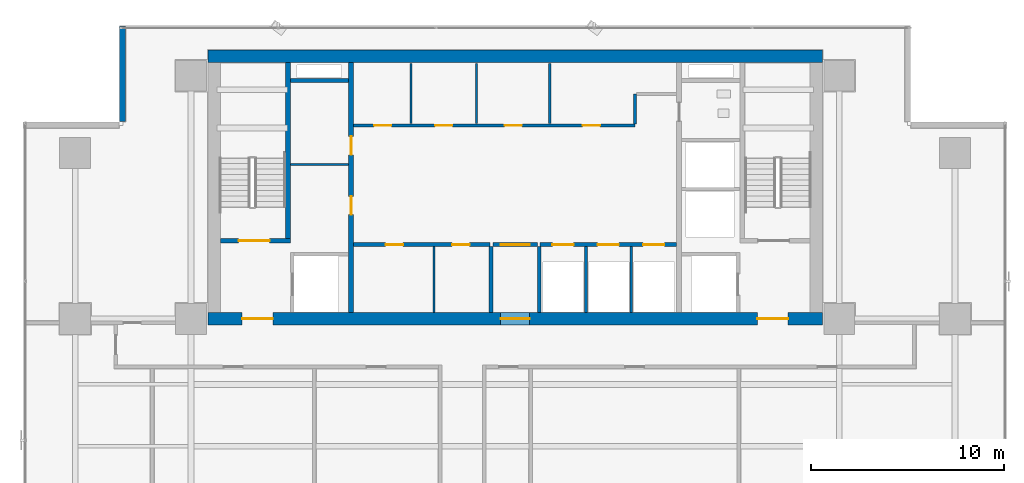
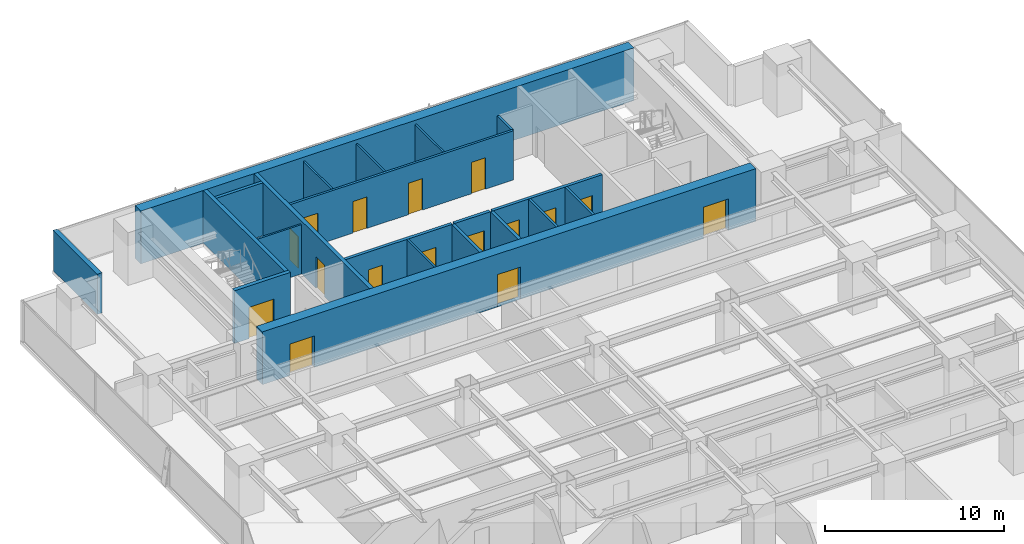
# One storey, part 29 of 37: 21 walls, 16 doors, 16 openings.
"""IFC4 building model written with IfcOpenShell, lengths in metres."""

import ifcopenshell
import ifcopenshell.guid

model = None  # the IFC model being written
_history = None  # IfcOwnerHistory: only IFC2X3 demands one
_inside = {}  # id of a spatial element -> (the spatial element, [elements in it])
_under = {}  # id of a project, library or spatial element -> (it, [spatial elements below it])
_declared = {}  # id of a project -> (the project, [libraries it declares])
_typed = {}  # id of a type object -> (the type object, [elements of that type])
_made_of = {}  # id of a material, layer set ... -> (it, [elements and type objects made of it])


def new_model(schema):
    """Start an empty IFC model of exactly this schema.

    Asked for "IFC4X3", IfcOpenShell would pick the latest addendum, in which some entities
    have other attributes; the version numbers below select the first issue.
    IFC2X3 requires an IfcOwnerHistory on every rooted entity: one is made here for all.
    """
    global model, _history
    if schema == "IFC4X3":
        model = ifcopenshell.file(schema_version=(4, 3, 0, 0))
    else:
        model = ifcopenshell.file(schema=schema)
    _inside.clear()
    _under.clear()
    _declared.clear()
    _typed.clear()
    _made_of.clear()
    _history = None
    if model.schema == "IFC2X3":
        org = make("IfcOrganization", Name="unknown")
        user = make(
            "IfcPersonAndOrganization",
            ThePerson=make("IfcPerson", FamilyName="unknown"),
            TheOrganization=org,
        )
        app = make(
            "IfcApplication",
            ApplicationDeveloper=org,
            Version="unknown",
            ApplicationFullName="unknown",
            ApplicationIdentifier="unknown",
        )
        _history = make(
            "IfcOwnerHistory",
            OwningUser=user,
            OwningApplication=app,
            ChangeAction="ADDED",
            CreationDate=0,
        )
    return model


def make(cls, **values):
    """One entity of the class cls with the attributes given. An attribute that is None is left unset."""
    return model.create_entity(
        cls, **{name: value for name, value in values.items() if value is not None}
    )


def rooted(cls, **values):
    """An entity with a GlobalId (a new one), such as an element, a storey or a relation."""
    return make(cls, GlobalId=ifcopenshell.guid.new(), OwnerHistory=_history, **values)


def si_unit(unit_type, name, prefix=None):
    """IfcSIUnit, for example si_unit("LENGTHUNIT", "METRE", prefix="MILLI")."""
    return make("IfcSIUnit", UnitType=unit_type, Prefix=prefix, Name=name)


def assignment(units):
    """IfcUnitAssignment: the units of a project."""
    return None if units is None else make("IfcUnitAssignment", Units=units)


def point(xyz):
    """IfcCartesianPoint."""
    return None if xyz is None else make("IfcCartesianPoint", Coordinates=xyz)


def direction(xyz):
    """IfcDirection."""
    return None if xyz is None else make("IfcDirection", DirectionRatios=xyz)


def frame(location, z_axis=None, x_axis=None):
    """IfcAxis2Placement3D, a coordinate frame: its origin and axes. An axis left out is left unset."""
    return make(
        "IfcAxis2Placement3D",
        Location=point(location),
        Axis=direction(z_axis),
        RefDirection=direction(x_axis),
    )


def frame_2d(location, x_axis=None):
    """IfcAxis2Placement2D, a coordinate frame in the plane: its origin and x axis."""
    return make(
        "IfcAxis2Placement2D", Location=point(location), RefDirection=direction(x_axis)
    )


def origin():
    """The frame at (0, 0, 0) with its axes left unset."""
    return frame((0.0, 0.0, 0.0))


def place(relative_to, where):
    """IfcLocalPlacement: puts the frame where relative to a parent placement (None: the world)."""
    return make(
        "IfcLocalPlacement", PlacementRelTo=relative_to, RelativePlacement=where
    )


def context(
    kind, dimensions, precision=None, world=None, true_north=None, identifier=None
):
    """IfcGeometricRepresentationContext, for example the 3D "Model" context."""
    return make(
        "IfcGeometricRepresentationContext",
        ContextIdentifier=identifier,
        ContextType=kind,
        CoordinateSpaceDimension=dimensions,
        Precision=precision,
        WorldCoordinateSystem=world,
        TrueNorth=true_north,
    )


def subcontext(parent, identifier, kind, view, scale=None):
    """IfcGeometricRepresentationSubContext, for example "Body" below "Model"."""
    return make(
        "IfcGeometricRepresentationSubContext",
        ContextIdentifier=identifier,
        ContextType=kind,
        ParentContext=parent,
        TargetScale=scale,
        TargetView=view,
    )


def project(units=None, contexts=None):
    """IfcProject with its units and contexts."""
    return rooted(
        "IfcProject",
        Name="project",
        RepresentationContexts=contexts,
        UnitsInContext=assignment(units),
    )


def spatial(cls, under=None, at=None, **own):
    """A site, building, storey or space (cls), placed at a placement, below another one or the project."""
    s = rooted(cls, ObjectPlacement=at, **own)
    if under is not None:
        _under.setdefault(under.id(), (under, []))[1].append(s)
    return s


def profile(cls, at=None, kind="AREA", **sizes):
    """A parametric profile (cls). Its sizes go by their IFC names, for example OverallWidth=200.0."""
    return make(cls, ProfileType=kind, Position=at, **sizes)


def rectangle(**sizes):
    """IfcRectangleProfileDef."""
    return profile("IfcRectangleProfileDef", **sizes)


def extrude(swept, where, along, depth):
    """IfcExtrudedAreaSolid: the profile swept, set in the frame where, extruded along a direction by depth."""
    return make(
        "IfcExtrudedAreaSolid",
        SweptArea=swept,
        Position=where,
        ExtrudedDirection=direction(along),
        Depth=depth,
    )


def shape(context_of_items, identifier, shape_type, items):
    """IfcShapeRepresentation: the items that make up one representation, for example the "Body"."""
    return make(
        "IfcShapeRepresentation",
        ContextOfItems=context_of_items,
        RepresentationIdentifier=identifier,
        RepresentationType=shape_type,
        Items=items,
    )


def source(mapping_origin, context_of_items, identifier, shape_type, items):
    """IfcRepresentationMap: a shape defined once, which mapped items show again and again."""
    return make(
        "IfcRepresentationMap",
        MappingOrigin=mapping_origin,
        MappedRepresentation=shape(context_of_items, identifier, shape_type, items),
    )


def transform(
    local_origin,
    x_axis=None,
    y_axis=None,
    z_axis=None,
    scale=None,
    scale2=None,
    scale3=None,
    uniform=True,
):
    """IfcCartesianTransformationOperator3D, or its non-uniform kind. x_axis, y_axis, z_axis: its Axis1, 2, 3."""
    if uniform:
        return make(
            "IfcCartesianTransformationOperator3D",
            Axis1=direction(x_axis),
            Axis2=direction(y_axis),
            LocalOrigin=point(local_origin),
            Scale=scale,
            Axis3=direction(z_axis),
        )
    return make(
        "IfcCartesianTransformationOperator3DnonUniform",
        Axis1=direction(x_axis),
        Axis2=direction(y_axis),
        LocalOrigin=point(local_origin),
        Scale=scale,
        Axis3=direction(z_axis),
        Scale2=scale2,
        Scale3=scale3,
    )


def mapped(mapping_source, mapping_target):
    """IfcMappedItem: shows the shape of a source again, moved by a transform."""
    return make(
        "IfcMappedItem", MappingSource=mapping_source, MappingTarget=mapping_target
    )


def material(Name=None, Category=None):
    """IfcMaterial."""
    return make("IfcMaterial", Name=Name, Category=Category)


def layer(
    of_material, thickness, ventilated=None, Name=None, Category=None, Priority=None
):
    """IfcMaterialLayer: one layer of a wall or slab, of a material (None: an air gap)."""
    return make(
        "IfcMaterialLayer",
        Material=of_material,
        LayerThickness=thickness,
        IsVentilated=ventilated,
        Name=Name,
        Category=Category,
        Priority=Priority,
    )


def layer_set(layers, Name=None):
    """IfcMaterialLayerSet."""
    return make("IfcMaterialLayerSet", MaterialLayers=layers, LayerSetName=Name)


def made_of(thing, what):
    """Note that an element or type object is made of a material, layer set ...; save() writes the relation."""
    if what is not None:
        _made_of.setdefault(what.id(), (what, []))[1].append(thing)
    return thing


def type_object(cls, material=None, **own):
    """A type object (cls), such as IfcWallType, which elements share."""
    return made_of(rooted(cls, **own), material)


def element(
    cls,
    number,
    at=None,
    inside=None,
    cuts=None,
    type_object=None,
    material=None,
    context=None,
    identifier="Body",
    shape_type=None,
    held_by="IfcProductDefinitionShape",
    body=None,
    shapes=None,
    **own,
):
    """One element of the class cls, such as IfcWall. Its Tag is "e" and its number.

    at: its placement. inside: the storey or other place that contains it. cuts: it is an
    opening in that element (IfcRelVoidsElement). A single representation is given by context,
    identifier, shape_type and body (its items); several are given by shapes. held_by: the class
    of the entity that holds the representations. save() writes the other relations.
    """
    e = rooted(cls, Tag="e%d" % number, ObjectPlacement=at, **own)
    if body is not None:
        shapes = [shape(context, identifier, shape_type, body)]
    if shapes is not None:
        e.Representation = make(held_by, Representations=shapes)
    if inside is not None:
        _inside.setdefault(inside.id(), (inside, []))[1].append(e)
    if cuts is not None:
        rooted(
            "IfcRelVoidsElement", RelatingBuildingElement=cuts, RelatedOpeningElement=e
        )
    if type_object is not None:
        _typed.setdefault(type_object.id(), (type_object, []))[1].append(e)
    return made_of(e, material)


def fill(opening, filler):
    """IfcRelFillsElement: the door or window that sits in an opening."""
    return rooted(
        "IfcRelFillsElement",
        RelatingOpeningElement=opening,
        RelatedBuildingElement=filler,
    )


def aggregate(whole, parts):
    """IfcRelAggregates: a whole, such as a stair, and the parts it consists of."""
    return rooted("IfcRelAggregates", RelatingObject=whole, RelatedObjects=parts)


def save(model, path):
    """Write the relations noted so far, then the file.

    IfcRelAggregates (storeys below a building ...), IfcRelContainedInSpatialStructure (elements
    in a storey), IfcRelDefinesByType, IfcRelAssociatesMaterial and IfcRelDeclares: one each for
    every whole, place, type object, material and project.
    """
    for whole, parts in _under.values():
        aggregate(whole, parts)
    for where, things in _inside.values():
        rooted(
            "IfcRelContainedInSpatialStructure",
            RelatedElements=things,
            RelatingStructure=where,
        )
    for kind, things in _typed.values():
        rooted("IfcRelDefinesByType", RelatedObjects=things, RelatingType=kind)
    for what, things in _made_of.values():
        rooted("IfcRelAssociatesMaterial", RelatedObjects=things, RelatingMaterial=what)
    for by, libraries in _declared.values():
        rooted("IfcRelDeclares", RelatingContext=by, RelatedDefinitions=libraries)
    model.write(path)


model = new_model("IFC4")

# Units and contexts
model_context = context("Model", 3, precision=1e-05, world=origin(), true_north=direction((0.0, 1.0)))
body_context = subcontext(model_context, "Body", "Model", "MODEL_VIEW")
ifc_project = project(units=[si_unit("LENGTHUNIT", "METRE"), si_unit("AREAUNIT", "SQUARE_METRE"), si_unit("VOLUMEUNIT", "CUBIC_METRE"), si_unit("PLANEANGLEUNIT", "RADIAN"), si_unit("MASSUNIT", "GRAM", prefix="KILO")], contexts=[model_context])

# Site, building, storey
site_placement = place(None, origin())
site = spatial("IfcSite", under=ifc_project, at=site_placement, CompositionType="ELEMENT")
building_placement = place(site_placement, origin())
building = spatial("IfcBuilding", under=site, at=building_placement, Name="Sumidabori Civic Tower", CompositionType="ELEMENT")
storey_placement = place(building_placement, frame((0.0, 0.0, 117.199951171875)))
storey = spatial("IfcBuildingStorey", under=building, at=storey_placement, Name="L30", CompositionType="ELEMENT", Elevation=117.199951171875)

# Walls
ifc_material_1 = material(Name="Concrete C50/60", Category="concrete")
ifc_layer_1 = layer(ifc_material_1, 0.199951171875, Name="Concrete C50/60")
ifc_layer_set_1 = layer_set([ifc_layer_1], Name="Concrete C50/60")
wall_type_1 = type_object("IfcWallType", Name="WL-SHAFT-200", PredefinedType="SHEAR", material=ifc_layer_set_1)
shared_shape_1 = source(origin(), body_context, "Body", "SweptSolid", [
    extrude(rectangle(XDim=3.02001953125, YDim=0.199951171875, at=frame_2d((1.510009765625, 0.0))), origin(), (0.0, 0.0, 1.0), 3.60009765625),
])
wall_1_placement = place(storey_placement, frame((-11.64501953125, 22.550048828125, 0.0), z_axis=(0.0, 0.0, 1.0), x_axis=(1.0, 0.0, 0.0)))
element("IfcWall", 1, at=wall_1_placement, inside=storey, type_object=wall_type_1, Name="Core Shear Wall L30 RIS1-S", PredefinedType="SHEAR", context=body_context, shape_type="MappedRepresentation", body=[
    mapped(shared_shape_1, transform((0.0, 0.0, 0.0), x_axis=(1.0, 0.0, 0.0), y_axis=(0.0, 1.0, 0.0), z_axis=(0.0, 0.0, 1.0), scale=1.0)),
])
ifc_material_2 = material(Name="Concrete C60/75", Category="concrete")
ifc_layer_2 = layer(ifc_material_2, 0.64990234375, Name="Concrete C60/75")
ifc_layer_set_2 = layer_set([ifc_layer_2], Name="Concrete C60/75")
wall_type_2 = type_object("IfcWallType", Name="WL-CORE-650", PredefinedType="SHEAR", material=ifc_layer_set_2)
shared_shape_2 = source(origin(), body_context, "Body", "SweptSolid", [
    extrude(rectangle(XDim=31.85009765625, YDim=0.64990234375, at=frame_2d((15.925048828125, 0.0))), origin(), (0.0, 0.0, 1.0), 3.60009765625),
])
wall_2_placement = place(storey_placement, frame((-15.925048828125, 23.800048828125, 0.0), z_axis=(0.0, 0.0, 1.0), x_axis=(1.0, 0.0, 0.0)))
element("IfcWall", 2, at=wall_2_placement, inside=storey, type_object=wall_type_2, Name="Core Shear Wall L30 N", PredefinedType="SHEAR", context=body_context, shape_type="MappedRepresentation", body=[
    mapped(shared_shape_2, transform((0.0, 0.0, 0.0), x_axis=(1.0, 0.0, 0.0), y_axis=(0.0, 1.0, 0.0), z_axis=(0.0, 0.0, 1.0), scale=1.0)),
])

# Wall, openings, doors
wall_3_placement = place(storey_placement, frame((-15.925048828125, 10.199951171875, 0.0), z_axis=(0.0, 0.0, 1.0), x_axis=(1.0, 0.0, 0.0)))
wall_3 = element("IfcWall", 3, at=wall_3_placement, inside=storey, type_object=wall_type_2, Name="Core Shear Wall L30 S", PredefinedType="SHEAR", context=body_context, shape_type="MappedRepresentation", body=[
    mapped(shared_shape_2, transform((0.0, 0.0, 0.0), x_axis=(1.0, 0.0, 0.0), y_axis=(0.0, 1.0, 0.0), z_axis=(0.0, 0.0, 1.0), scale=1.0)),
])
opening_1_placement = place(wall_3_placement, frame((1.77490234375, 0.0, 0.0)))
opening_1 = element("IfcOpeningElement", 4, at=opening_1_placement, cuts=wall_3, Name="Opening DR-FD4", PredefinedType="OPENING", context=body_context, shape_type="SweptSolid", body=[
    extrude(rectangle(XDim=1.60009765625, YDim=2.14990234375, at=frame_2d((0.800048828125, 1.074951171875))), frame((0.0, 0.3369140625, 0.0), z_axis=(0.0, -1.0, 0.0), x_axis=(1.0, 0.0, 0.0)), (0.0, 0.0, 1.0), 0.673828125),
])
opening_2_placement = place(wall_3_placement, frame((28.47509765625, 0.0, 0.0)))
opening_2 = element("IfcOpeningElement", 5, at=opening_2_placement, cuts=wall_3, Name="Opening DR-FD4", PredefinedType="OPENING", context=body_context, shape_type="SweptSolid", body=[
    extrude(rectangle(XDim=1.60009765625, YDim=2.14990234375, at=frame_2d((0.800048828125, 1.074951171875))), frame((0.0, 0.3369140625, 0.0), z_axis=(0.0, -1.0, 0.0), x_axis=(1.0, 0.0, 0.0)), (0.0, 0.0, 1.0), 0.673828125),
])
opening_3_placement = place(wall_3_placement, frame((15.175048828125, 0.0, 0.0)))
opening_3 = element("IfcOpeningElement", 6, at=opening_3_placement, cuts=wall_3, Name="Opening DR-FD3", PredefinedType="OPENING", context=body_context, shape_type="SweptSolid", body=[
    extrude(rectangle(XDim=1.5, YDim=2.199951171875, at=frame_2d((0.75, 1.10009765625))), frame((0.0, 0.3369140625, 0.0), z_axis=(0.0, -1.0, 0.0), x_axis=(1.0, 0.0, 0.0)), (0.0, 0.0, 1.0), 0.673828125),
])
ifc_material_3 = material(Name="Steel SN490", Category="steel")
door_type_1 = type_object("IfcDoorType", Name="DR-FD4", OperationType="DOUBLE_DOOR_SINGLE_SWING", PredefinedType="DOOR", material=ifc_material_3)
shared_shape_3 = source(origin(), body_context, "Body", "SweptSolid", [
    extrude(rectangle(XDim=1.60009765625, YDim=2.14990234375, at=frame_2d((0.800048828125, 1.074951171875))), frame((0.0, 0.02490234375, 0.0), z_axis=(0.0, -1.0, 0.0), x_axis=(1.0, 0.0, 0.0)), (0.0, 0.0, 1.0), 0.050048828125),
])
door_1_placement = place(opening_1_placement, origin())
door_1 = element("IfcDoor", 7, at=door_1_placement, inside=storey, type_object=door_type_1, Name="Door DR:L30:ELOB-W", OperationType="DOUBLE_DOOR_SINGLE_SWING", OverallHeight=2.14990234375, OverallWidth=1.60009765625, PredefinedType="DOOR", context=body_context, shape_type="MappedRepresentation", body=[
    mapped(shared_shape_3, transform((0.0, 0.0, 0.0), x_axis=(1.0, 0.0, 0.0), y_axis=(0.0, 1.0, 0.0), z_axis=(0.0, 0.0, 1.0), scale=1.0)),
])
fill(opening_1, door_1)
door_2_placement = place(opening_2_placement, origin())
door_2 = element("IfcDoor", 8, at=door_2_placement, inside=storey, type_object=door_type_1, Name="Door DR:L30:ELOB-E", OperationType="DOUBLE_DOOR_SINGLE_SWING", OverallHeight=2.14990234375, OverallWidth=1.60009765625, PredefinedType="DOOR", context=body_context, shape_type="MappedRepresentation", body=[
    mapped(shared_shape_3, transform((0.0, 0.0, 0.0), x_axis=(1.0, 0.0, 0.0), y_axis=(0.0, 1.0, 0.0), z_axis=(0.0, 0.0, 1.0), scale=1.0)),
])
fill(opening_2, door_2)
door_type_2 = type_object("IfcDoorType", Name="DR-FD-DBL", OperationType="DOUBLE_DOOR_SINGLE_SWING", PredefinedType="DOOR", material=ifc_material_3)
shared_shape_4 = source(origin(), body_context, "Body", "SweptSolid", [
    extrude(rectangle(XDim=1.5, YDim=2.199951171875, at=frame_2d((0.75, 1.10009765625))), frame((0.0, 0.02490234375, 0.0), z_axis=(0.0, -1.0, 0.0), x_axis=(1.0, 0.0, 0.0)), (0.0, 0.0, 1.0), 0.050048828125),
])
door_3_placement = place(opening_3_placement, origin())
door_3 = element("IfcDoor", 9, at=door_3_placement, inside=storey, type_object=door_type_2, Name="Door DR:L30:THROAT-OUT", OperationType="DOUBLE_DOOR_SINGLE_SWING", OverallHeight=2.199951171875, OverallWidth=1.5, PredefinedType="DOOR", context=body_context, shape_type="MappedRepresentation", body=[
    mapped(shared_shape_4, transform((0.0, 0.0, 0.0), x_axis=(1.0, 0.0, 0.0), y_axis=(0.0, 1.0, 0.0), z_axis=(0.0, 0.0, 1.0), scale=1.0)),
])
fill(opening_3, door_3)

ifc_layer_3 = layer(ifc_material_1, 0.25, Name="Concrete C50/60")
ifc_layer_set_3 = layer_set([ifc_layer_3], Name="Concrete C50/60")
wall_type_3 = type_object("IfcWallType", Name="WL-SHAFT-250", PredefinedType="SHEAR", material=ifc_layer_set_3)
shared_shape_5 = source(origin(), body_context, "Body", "SweptSolid", [
    extrude(rectangle(XDim=12.9501953125, YDim=0.25, at=frame_2d((6.47509765625, 0.0))), origin(), (0.0, 0.0, 1.0), 3.60009765625),
])
wall_4_placement = place(storey_placement, frame((-8.5, 10.52490234375, 0.0), z_axis=(0.0, 0.0, 1.0), x_axis=(0.0, 1.0, 0.0)))
wall_4 = element("IfcWall", 10, at=wall_4_placement, inside=storey, type_object=wall_type_3, Name="Core Shear Wall L30 WEB-W", PredefinedType="SHEAR", context=body_context, shape_type="MappedRepresentation", body=[
    mapped(shared_shape_5, transform((0.0, 0.0, 0.0), x_axis=(1.0, 0.0, 0.0), y_axis=(0.0, 1.0, 0.0), z_axis=(0.0, 0.0, 1.0), scale=1.0)),
])
opening_4_placement = place(wall_4_placement, frame((5.074951171875, 0.0, 0.0)))
opening_4 = element("IfcOpeningElement", 11, at=opening_4_placement, cuts=wall_4, Name="Opening DR-FD2", PredefinedType="OPENING", context=body_context, shape_type="SweptSolid", body=[
    extrude(rectangle(XDim=0.949951171875, YDim=2.14990234375, at=frame_2d((0.47509765625, 1.074951171875))), frame((0.0, 0.136962890625, 0.0), z_axis=(0.0, -1.0, 0.0), x_axis=(1.0, 0.0, 0.0)), (0.0, 0.0, 1.0), 0.27392578125),
])
opening_5_placement = place(wall_4_placement, frame((8.175048828125, 0.0, 0.0)))
opening_5 = element("IfcOpeningElement", 12, at=opening_5_placement, cuts=wall_4, Name="Opening DR-FD2", PredefinedType="OPENING", context=body_context, shape_type="SweptSolid", body=[
    extrude(rectangle(XDim=0.949951171875, YDim=2.14990234375, at=frame_2d((0.47509765625, 1.074951171875))), frame((0.0, 0.136962890625, 0.0), z_axis=(0.0, -1.0, 0.0), x_axis=(1.0, 0.0, 0.0)), (0.0, 0.0, 1.0), 0.27392578125),
])
door_type_3 = type_object("IfcDoorType", Name="DR-FD2", OperationType="NOTDEFINED", PredefinedType="DOOR", material=ifc_material_3)
shared_shape_6 = source(origin(), body_context, "Body", "SweptSolid", [
    extrude(rectangle(XDim=0.949951171875, YDim=2.14990234375, at=frame_2d((0.47509765625, 1.074951171875))), frame((0.0, 0.02490234375, 0.0), z_axis=(0.0, -1.0, 0.0), x_axis=(1.0, 0.0, 0.0)), (0.0, 0.0, 1.0), 0.050048828125),
])
door_4_placement = place(opening_4_placement, origin())
door_4 = element("IfcDoor", 13, at=door_4_placement, inside=storey, type_object=door_type_3, Name="Door DR:L30:CW-S1", OperationType="SINGLE_SWING_LEFT", OverallHeight=2.14990234375, OverallWidth=0.949951171875, PredefinedType="DOOR", context=body_context, shape_type="MappedRepresentation", body=[
    mapped(shared_shape_6, transform((0.0, 0.0, 0.0), x_axis=(1.0, 0.0, 0.0), y_axis=(0.0, 1.0, 0.0), z_axis=(0.0, 0.0, 1.0), scale=1.0)),
])
fill(opening_4, door_4)
door_5_placement = place(opening_5_placement, origin())
door_5 = element("IfcDoor", 14, at=door_5_placement, inside=storey, type_object=door_type_3, Name="Door DR:L30:CW-S2", OperationType="SINGLE_SWING_RIGHT", OverallHeight=2.14990234375, OverallWidth=0.949951171875, PredefinedType="DOOR", context=body_context, shape_type="MappedRepresentation", body=[
    mapped(shared_shape_6, transform((0.0, 0.0, 0.0), x_axis=(1.0, 0.0, 0.0), y_axis=(0.0, 1.0, 0.0), z_axis=(0.0, 0.0, 1.0), scale=1.0)),
])
fill(opening_5, door_5)

# Wall, opening, door
shared_shape_7 = source(origin(), body_context, "Body", "SweptSolid", [
    extrude(rectangle(XDim=3.6298828125, YDim=0.25, at=frame_2d((1.81494140625, 0.0))), origin(), (0.0, 0.0, 1.0), 3.60009765625),
])
wall_5_placement = place(storey_placement, frame((-15.27490234375, 14.25, 0.0), z_axis=(0.0, 0.0, 1.0), x_axis=(1.0, 0.0, 0.0)))
wall_5 = element("IfcWall", 15, at=wall_5_placement, inside=storey, type_object=wall_type_3, Name="Core Shear Wall L30 ST1-S", PredefinedType="SHEAR", context=body_context, shape_type="MappedRepresentation", body=[
    mapped(shared_shape_7, transform((0.0, 0.0, 0.0), x_axis=(1.0, 0.0, 0.0), y_axis=(0.0, 1.0, 0.0), z_axis=(0.0, 0.0, 1.0), scale=1.0)),
])
opening_6_placement = place(wall_5_placement, frame((0.949951171875, 0.0, 0.0)))
opening_6 = element("IfcOpeningElement", 16, at=opening_6_placement, cuts=wall_5, Name="Opening DR-FD4", PredefinedType="OPENING", context=body_context, shape_type="SweptSolid", body=[
    extrude(rectangle(XDim=1.60009765625, YDim=2.14990234375, at=frame_2d((0.800048828125, 1.074951171875))), frame((0.0, 0.136962890625, 0.0), z_axis=(0.0, -1.0, 0.0), x_axis=(1.0, 0.0, 0.0)), (0.0, 0.0, 1.0), 0.27392578125),
])
door_6_placement = place(opening_6_placement, origin())
door_6 = element("IfcDoor", 17, at=door_6_placement, inside=storey, type_object=door_type_1, Name="Door DR:L30:ST1", OperationType="DOUBLE_DOOR_SINGLE_SWING", OverallHeight=2.14990234375, OverallWidth=1.60009765625, PredefinedType="DOOR", context=body_context, shape_type="MappedRepresentation", body=[
    mapped(shared_shape_3, transform((0.0, 0.0, 0.0), x_axis=(1.0, 0.0, 0.0), y_axis=(0.0, 1.0, 0.0), z_axis=(0.0, 0.0, 1.0), scale=1.0)),
])
fill(opening_6, door_6)

# Walls
shared_shape_8 = source(origin(), body_context, "Body", "SweptSolid", [
    extrude(rectangle(XDim=9.10009765625, YDim=0.25, at=frame_2d((4.550048828125, 0.0))), origin(), (0.0, 0.0, 1.0), 3.60009765625),
])
wall_6_placement = place(storey_placement, frame((-11.77001953125, 14.375, 0.0), z_axis=(0.0, 0.0, 1.0), x_axis=(0.0, 1.0, 0.0)))
element("IfcWall", 18, at=wall_6_placement, inside=storey, type_object=wall_type_3, Name="Core Shear Wall L30 ST1-E", PredefinedType="SHEAR", context=body_context, shape_type="MappedRepresentation", body=[
    mapped(shared_shape_8, transform((0.0, 0.0, 0.0), x_axis=(1.0, 0.0, 0.0), y_axis=(0.0, 1.0, 0.0), z_axis=(0.0, 0.0, 1.0), scale=1.0)),
])
ifc_material_4 = material(Name="Precast concrete C40/50", Category="concrete")
ifc_layer_4 = layer(ifc_material_4, 0.300048828125, Name="Precast concrete C40/50")
ifc_layer_set_4 = layer_set([ifc_layer_4], Name="Precast concrete C40/50")
wall_type_4 = type_object("IfcWallType", Name="WL-EXT-POD300", PredefinedType="STANDARD", material=ifc_layer_set_4)
shared_shape_9 = source(origin(), body_context, "Body", "SweptSolid", [
    extrude(rectangle(XDim=4.9599609375, YDim=0.300048828125, at=frame_2d((2.47998046875, 0.0))), origin(), (0.0, 0.0, 1.0), 2.739990234375),
])
wall_7_placement = place(storey_placement, frame((-20.35009765625, 25.3798828125, 0.0), z_axis=(0.0, 0.0, 1.0), x_axis=(0.0, -1.0, 0.0)))
element("IfcWall", 19, at=wall_7_placement, inside=storey, type_object=wall_type_4, Name="Notched Corner Spandrel Band L30-08", PredefinedType="STANDARD", context=body_context, shape_type="MappedRepresentation", body=[
    mapped(shared_shape_9, transform((0.0, 0.0, 0.0), x_axis=(1.0, 0.0, 0.0), y_axis=(0.0, 1.0, 0.0), z_axis=(0.0, 0.0, 1.0), scale=1.0)),
])

# Wall, openings, doors
ifc_material_5 = material(Name="Gypsum Plasterboard Fire Partition")
ifc_layer_5 = layer(ifc_material_5, 0.199951171875, Name="Gypsum Plasterboard Fire Partition")
ifc_layer_set_5 = layer_set([ifc_layer_5], Name="Gypsum Plasterboard Fire Partition")
wall_type_5 = type_object("IfcWallType", Name="WL-PART-FIRE", PredefinedType="PARTITIONING", material=ifc_layer_set_5)
shared_shape_10 = source(origin(), body_context, "Body", "SweptSolid", [
    extrude(rectangle(XDim=7.070068359375, YDim=0.199951171875, at=frame_2d((3.53515625, 0.0))), origin(), (0.0, 0.0, 1.0), 3.360107421875),
])
wall_8_placement = place(storey_placement, frame((-8.3701171875, 14.050048828125, 0.0), z_axis=(0.0, 0.0, 1.0), x_axis=(1.0, 0.0, 0.0)))
wall_8 = element("IfcWall", 20, at=wall_8_placement, inside=storey, type_object=wall_type_5, Name="Interior Partition WL:L30:CBAND-SW", PredefinedType="PARTITIONING", context=body_context, shape_type="MappedRepresentation", body=[
    mapped(shared_shape_10, transform((0.0, 0.0, 0.0), x_axis=(1.0, 0.0, 0.0), y_axis=(0.0, 1.0, 0.0), z_axis=(0.0, 0.0, 1.0), scale=1.0)),
])
opening_7_placement = place(wall_8_placement, frame((1.659912109375, 0.0, 0.0)))
opening_7 = element("IfcOpeningElement", 21, at=opening_7_placement, cuts=wall_8, Name="Opening DR-1", PredefinedType="OPENING", context=body_context, shape_type="SweptSolid", body=[
    extrude(rectangle(XDim=0.89990234375, YDim=2.14990234375, at=frame_2d((0.449951171875, 1.074951171875))), frame((0.0, 0.11181640625, 0.0), z_axis=(0.0, -1.0, 0.0), x_axis=(1.0, 0.0, 0.0)), (0.0, 0.0, 1.0), 0.223876953125),
])
opening_8_placement = place(wall_8_placement, frame((5.110107421875, 0.0, 0.0)))
opening_8 = element("IfcOpeningElement", 22, at=opening_8_placement, cuts=wall_8, Name="Opening DR-1", PredefinedType="OPENING", context=body_context, shape_type="SweptSolid", body=[
    extrude(rectangle(XDim=0.89990234375, YDim=2.14990234375, at=frame_2d((0.449951171875, 1.074951171875))), frame((0.0, 0.11181640625, 0.0), z_axis=(0.0, -1.0, 0.0), x_axis=(1.0, 0.0, 0.0)), (0.0, 0.0, 1.0), 0.223876953125),
])
ifc_material_6 = material(Name="Japanese Hinoki Timber", Category="wood")
door_type_4 = type_object("IfcDoorType", Name="DR-INT-900", OperationType="NOTDEFINED", PredefinedType="DOOR", material=ifc_material_6)
shared_shape_11 = source(origin(), body_context, "Body", "SweptSolid", [
    extrude(rectangle(XDim=0.89990234375, YDim=2.14990234375, at=frame_2d((0.449951171875, 1.074951171875))), frame((0.0, 0.02490234375, 0.0), z_axis=(0.0, -1.0, 0.0), x_axis=(1.0, 0.0, 0.0)), (0.0, 0.0, 1.0), 0.050048828125),
])
door_7_placement = place(opening_7_placement, origin())
door_7 = element("IfcDoor", 23, at=door_7_placement, inside=storey, type_object=door_type_4, Name="Door DR:L30:REC-B1A", OperationType="SINGLE_SWING_LEFT", OverallHeight=2.14990234375, OverallWidth=0.89990234375, PredefinedType="DOOR", context=body_context, shape_type="MappedRepresentation", body=[
    mapped(shared_shape_11, transform((0.0, 0.0, 0.0), x_axis=(1.0, 0.0, 0.0), y_axis=(0.0, 1.0, 0.0), z_axis=(0.0, 0.0, 1.0), scale=1.0)),
])
fill(opening_7, door_7)
door_8_placement = place(opening_8_placement, origin())
door_8 = element("IfcDoor", 24, at=door_8_placement, inside=storey, type_object=door_type_4, Name="Door DR:L30:REC-B1B", OperationType="SINGLE_SWING_RIGHT", OverallHeight=2.14990234375, OverallWidth=0.89990234375, PredefinedType="DOOR", context=body_context, shape_type="MappedRepresentation", body=[
    mapped(shared_shape_11, transform((0.0, 0.0, 0.0), x_axis=(1.0, 0.0, 0.0), y_axis=(0.0, 1.0, 0.0), z_axis=(0.0, 0.0, 1.0), scale=1.0)),
])
fill(opening_8, door_8)

wall_9_placement = place(storey_placement, frame((1.300048828125, 14.050048828125, 0.0), z_axis=(0.0, 0.0, 1.0), x_axis=(1.0, 0.0, 0.0)))
wall_9 = element("IfcWall", 25, at=wall_9_placement, inside=storey, type_object=wall_type_5, Name="Interior Partition WL:L30:CBAND-SE", PredefinedType="PARTITIONING", context=body_context, shape_type="MappedRepresentation", body=[
    mapped(shared_shape_10, transform((0.0, 0.0, 0.0), x_axis=(1.0, 0.0, 0.0), y_axis=(0.0, 1.0, 0.0), z_axis=(0.0, 0.0, 1.0), scale=1.0)),
])
opening_9_placement = place(wall_9_placement, frame((0.6298828125, 0.0, 0.0)))
opening_9 = element("IfcOpeningElement", 26, at=opening_9_placement, cuts=wall_9, Name="Opening LD-1", PredefinedType="OPENING", context=body_context, shape_type="SweptSolid", body=[
    extrude(rectangle(XDim=1.10009765625, YDim=2.14990234375, at=frame_2d((0.550048828125, 1.074951171875))), frame((0.0, 0.11181640625, 0.0), z_axis=(0.0, -1.0, 0.0), x_axis=(1.0, 0.0, 0.0)), (0.0, 0.0, 1.0), 0.223876953125),
])
opening_10_placement = place(wall_9_placement, frame((2.97998046875, 0.0, 0.0)))
opening_10 = element("IfcOpeningElement", 27, at=opening_10_placement, cuts=wall_9, Name="Opening LD-1", PredefinedType="OPENING", context=body_context, shape_type="SweptSolid", body=[
    extrude(rectangle(XDim=1.10009765625, YDim=2.14990234375, at=frame_2d((0.550048828125, 1.074951171875))), frame((0.0, 0.11181640625, 0.0), z_axis=(0.0, -1.0, 0.0), x_axis=(1.0, 0.0, 0.0)), (0.0, 0.0, 1.0), 0.223876953125),
])
opening_11_placement = place(wall_9_placement, frame((5.330078125, 0.0, 0.0)))
opening_11 = element("IfcOpeningElement", 28, at=opening_11_placement, cuts=wall_9, Name="Opening LD-1", PredefinedType="OPENING", context=body_context, shape_type="SweptSolid", body=[
    extrude(rectangle(XDim=1.10009765625, YDim=2.14990234375, at=frame_2d((0.550048828125, 1.074951171875))), frame((0.0, 0.11181640625, 0.0), z_axis=(0.0, -1.0, 0.0), x_axis=(1.0, 0.0, 0.0)), (0.0, 0.0, 1.0), 0.223876953125),
])
ifc_material_7 = material(Name="Stainless Steel Hairline Finish", Category="steel")
door_type_5 = type_object("IfcDoorType", Name="DR-LD1", OperationType="DOUBLE_DOOR_SLIDING", PredefinedType="DOOR", material=ifc_material_7)
shared_shape_12 = source(origin(), body_context, "Body", "SweptSolid", [
    extrude(rectangle(XDim=1.10009765625, YDim=2.14990234375, at=frame_2d((0.550048828125, 1.074951171875))), frame((0.0, 0.02490234375, 0.0), z_axis=(0.0, -1.0, 0.0), x_axis=(1.0, 0.0, 0.0)), (0.0, 0.0, 1.0), 0.050048828125),
])
door_9_placement = place(opening_9_placement, origin())
door_9 = element("IfcDoor", 29, at=door_9_placement, inside=storey, type_object=door_type_5, Name="Door DR:L30:LD-PLM1", OperationType="DOUBLE_DOOR_SLIDING", OverallHeight=2.14990234375, OverallWidth=1.10009765625, PredefinedType="DOOR", context=body_context, shape_type="MappedRepresentation", body=[
    mapped(shared_shape_12, transform((0.0, 0.0, 0.0), x_axis=(1.0, 0.0, 0.0), y_axis=(0.0, 1.0, 0.0), z_axis=(0.0, 0.0, 1.0), scale=1.0)),
])
fill(opening_9, door_9)
door_10_placement = place(opening_10_placement, origin())
door_10 = element("IfcDoor", 30, at=door_10_placement, inside=storey, type_object=door_type_5, Name="Door DR:L30:LD-PLM2", OperationType="DOUBLE_DOOR_SLIDING", OverallHeight=2.14990234375, OverallWidth=1.10009765625, PredefinedType="DOOR", context=body_context, shape_type="MappedRepresentation", body=[
    mapped(shared_shape_12, transform((0.0, 0.0, 0.0), x_axis=(1.0, 0.0, 0.0), y_axis=(0.0, 1.0, 0.0), z_axis=(0.0, 0.0, 1.0), scale=1.0)),
])
fill(opening_10, door_10)
door_11_placement = place(opening_11_placement, origin())
door_11 = element("IfcDoor", 31, at=door_11_placement, inside=storey, type_object=door_type_5, Name="Door DR:L30:LD-PLM3", OperationType="DOUBLE_DOOR_SLIDING", OverallHeight=2.14990234375, OverallWidth=1.10009765625, PredefinedType="DOOR", context=body_context, shape_type="MappedRepresentation", body=[
    mapped(shared_shape_12, transform((0.0, 0.0, 0.0), x_axis=(1.0, 0.0, 0.0), y_axis=(0.0, 1.0, 0.0), z_axis=(0.0, 0.0, 1.0), scale=1.0)),
])
fill(opening_11, door_11)

# Wall, opening, door
shared_shape_13 = source(origin(), body_context, "Body", "SweptSolid", [
    extrude(rectangle(XDim=2.2998046875, YDim=0.199951171875, at=frame_2d((1.14990234375, 0.0))), origin(), (0.0, 0.0, 1.0), 3.360107421875),
])
wall_10_placement = place(storey_placement, frame((-1.14990234375, 14.050048828125, 0.0), z_axis=(0.0, 0.0, 1.0), x_axis=(1.0, 0.0, 0.0)))
wall_10 = element("IfcWall", 32, at=wall_10_placement, inside=storey, type_object=wall_type_5, Name="Interior Partition WL:L30:THROAT-N", PredefinedType="PARTITIONING", context=body_context, shape_type="MappedRepresentation", body=[
    mapped(shared_shape_13, transform((0.0, 0.0, 0.0), x_axis=(1.0, 0.0, 0.0), y_axis=(0.0, 1.0, 0.0), z_axis=(0.0, 0.0, 1.0), scale=1.0)),
])
opening_12_placement = place(wall_10_placement, frame((0.39990234375, 0.0, 0.0)))
opening_12 = element("IfcOpeningElement", 33, at=opening_12_placement, cuts=wall_10, Name="Opening DR-FD3", PredefinedType="OPENING", context=body_context, shape_type="SweptSolid", body=[
    extrude(rectangle(XDim=1.5, YDim=2.199951171875, at=frame_2d((0.75, 1.10009765625))), frame((0.0, 0.11181640625, 0.0), z_axis=(0.0, -1.0, 0.0), x_axis=(1.0, 0.0, 0.0)), (0.0, 0.0, 1.0), 0.223876953125),
])
door_12_placement = place(opening_12_placement, origin())
door_12 = element("IfcDoor", 34, at=door_12_placement, inside=storey, type_object=door_type_2, Name="Door DR:L30:THROAT-IN", OperationType="DOUBLE_DOOR_SINGLE_SWING", OverallHeight=2.199951171875, OverallWidth=1.5, PredefinedType="DOOR", context=body_context, shape_type="MappedRepresentation", body=[
    mapped(shared_shape_4, transform((0.0, 0.0, 0.0), x_axis=(1.0, 0.0, 0.0), y_axis=(0.0, 1.0, 0.0), z_axis=(0.0, 0.0, 1.0), scale=1.0)),
])
fill(opening_12, door_12)

# Wall, openings, doors
ifc_material_8 = material(Name="Gypsum Plasterboard Acoustic Partition")
ifc_layer_6 = layer(ifc_material_8, 0.14990234375, Name="Gypsum Plasterboard Acoustic Partition")
ifc_layer_set_6 = layer_set([ifc_layer_6], Name="Gypsum Plasterboard Acoustic Partition")
wall_type_6 = type_object("IfcWallType", Name="WL-PART-150", PredefinedType="PARTITIONING", material=ifc_layer_set_6)
shared_shape_14 = source(origin(), body_context, "Body", "SweptSolid", [
    extrude(rectangle(XDim=14.590087890625, YDim=0.14990234375, at=frame_2d((7.294921875, 0.0))), origin(), (0.0, 0.0, 1.0), 3.360107421875),
])
wall_11_placement = place(storey_placement, frame((-8.3701171875, 20.219970703125, 0.0), z_axis=(0.0, 0.0, 1.0), x_axis=(1.0, 0.0, 0.0)))
wall_11 = element("IfcWall", 35, at=wall_11_placement, inside=storey, type_object=wall_type_6, Name="Interior Partition WL:L30:CBAND-M", PredefinedType="PARTITIONING", context=body_context, shape_type="MappedRepresentation", body=[
    mapped(shared_shape_14, transform((0.0, 0.0, 0.0), x_axis=(1.0, 0.0, 0.0), y_axis=(0.0, 1.0, 0.0), z_axis=(0.0, 0.0, 1.0), scale=1.0)),
])
opening_13_placement = place(wall_11_placement, frame((1.06005859375, 0.0, 0.0)))
opening_13 = element("IfcOpeningElement", 36, at=opening_13_placement, cuts=wall_11, Name="Opening DR-1", PredefinedType="OPENING", context=body_context, shape_type="SweptSolid", body=[
    extrude(rectangle(XDim=0.89990234375, YDim=2.14990234375, at=frame_2d((0.449951171875, 1.074951171875))), frame((0.0, 0.0869140625, 0.0), z_axis=(0.0, -1.0, 0.0), x_axis=(1.0, 0.0, 0.0)), (0.0, 0.0, 1.0), 0.173828125),
])
opening_14_placement = place(wall_11_placement, frame((4.219970703125, 0.0, 0.0)))
opening_14 = element("IfcOpeningElement", 37, at=opening_14_placement, cuts=wall_11, Name="Opening DR-1", PredefinedType="OPENING", context=body_context, shape_type="SweptSolid", body=[
    extrude(rectangle(XDim=0.89990234375, YDim=2.14990234375, at=frame_2d((0.449951171875, 1.074951171875))), frame((0.0, 0.0869140625, 0.0), z_axis=(0.0, -1.0, 0.0), x_axis=(1.0, 0.0, 0.0)), (0.0, 0.0, 1.0), 0.173828125),
])
opening_15_placement = place(wall_11_placement, frame((7.820068359375, 0.0, 0.0)))
opening_15 = element("IfcOpeningElement", 38, at=opening_15_placement, cuts=wall_11, Name="Opening DR-1", PredefinedType="OPENING", context=body_context, shape_type="SweptSolid", body=[
    extrude(rectangle(XDim=0.89990234375, YDim=2.14990234375, at=frame_2d((0.449951171875, 1.074951171875))), frame((0.0, 0.0869140625, 0.0), z_axis=(0.0, -1.0, 0.0), x_axis=(1.0, 0.0, 0.0)), (0.0, 0.0, 1.0), 0.173828125),
])
opening_16_placement = place(wall_11_placement, frame((11.8701171875, 0.0, 0.0)))
opening_16 = element("IfcOpeningElement", 39, at=opening_16_placement, cuts=wall_11, Name="Opening DR-1", PredefinedType="OPENING", context=body_context, shape_type="SweptSolid", body=[
    extrude(rectangle(XDim=0.89990234375, YDim=2.14990234375, at=frame_2d((0.449951171875, 1.074951171875))), frame((0.0, 0.0869140625, 0.0), z_axis=(0.0, -1.0, 0.0), x_axis=(1.0, 0.0, 0.0)), (0.0, 0.0, 1.0), 0.173828125),
])
door_13_placement = place(opening_13_placement, origin())
door_13 = element("IfcDoor", 40, at=door_13_placement, inside=storey, type_object=door_type_4, Name="Door DR:L30:CB-1", OperationType="SINGLE_SWING_LEFT", OverallHeight=2.14990234375, OverallWidth=0.89990234375, PredefinedType="DOOR", context=body_context, shape_type="MappedRepresentation", body=[
    mapped(shared_shape_11, transform((0.0, 0.0, 0.0), x_axis=(1.0, 0.0, 0.0), y_axis=(0.0, 1.0, 0.0), z_axis=(0.0, 0.0, 1.0), scale=1.0)),
])
fill(opening_13, door_13)
door_14_placement = place(opening_14_placement, origin())
door_14 = element("IfcDoor", 41, at=door_14_placement, inside=storey, type_object=door_type_4, Name="Door DR:L30:CB-2", OperationType="SINGLE_SWING_RIGHT", OverallHeight=2.14990234375, OverallWidth=0.89990234375, PredefinedType="DOOR", context=body_context, shape_type="MappedRepresentation", body=[
    mapped(shared_shape_11, transform((0.0, 0.0, 0.0), x_axis=(1.0, 0.0, 0.0), y_axis=(0.0, 1.0, 0.0), z_axis=(0.0, 0.0, 1.0), scale=1.0)),
])
fill(opening_14, door_14)
door_15_placement = place(opening_15_placement, origin())
door_15 = element("IfcDoor", 42, at=door_15_placement, inside=storey, type_object=door_type_4, Name="Door DR:L30:CB-3", OperationType="SINGLE_SWING_LEFT", OverallHeight=2.14990234375, OverallWidth=0.89990234375, PredefinedType="DOOR", context=body_context, shape_type="MappedRepresentation", body=[
    mapped(shared_shape_11, transform((0.0, 0.0, 0.0), x_axis=(1.0, 0.0, 0.0), y_axis=(0.0, 1.0, 0.0), z_axis=(0.0, 0.0, 1.0), scale=1.0)),
])
fill(opening_15, door_15)
door_16_placement = place(opening_16_placement, origin())
door_16 = element("IfcDoor", 43, at=door_16_placement, inside=storey, type_object=door_type_4, Name="Door DR:L30:CB-4", OperationType="SINGLE_SWING_RIGHT", OverallHeight=2.14990234375, OverallWidth=0.89990234375, PredefinedType="DOOR", context=body_context, shape_type="MappedRepresentation", body=[
    mapped(shared_shape_11, transform((0.0, 0.0, 0.0), x_axis=(1.0, 0.0, 0.0), y_axis=(0.0, 1.0, 0.0), z_axis=(0.0, 0.0, 1.0), scale=1.0)),
])
fill(opening_16, door_16)

# Walls
shared_shape_15 = source(origin(), body_context, "Body", "SweptSolid", [
    extrude(rectangle(XDim=1.550048828125, YDim=0.14990234375, at=frame_2d((0.77490234375, 0.0))), origin(), (0.0, 0.0, 1.0), 3.360107421875),
])
wall_12_placement = place(storey_placement, frame((6.219970703125, 20.300048828125, 0.0), z_axis=(0.0, 0.0, 1.0), x_axis=(0.0, 1.0, 0.0)))
element("IfcWall", 44, at=wall_12_placement, inside=storey, type_object=wall_type_6, Name="Interior Partition WL:L30:CBAND-ME1", PredefinedType="PARTITIONING", context=body_context, shape_type="MappedRepresentation", body=[
    mapped(shared_shape_15, transform((0.0, 0.0, 0.0), x_axis=(1.0, 0.0, 0.0), y_axis=(0.0, 1.0, 0.0), z_axis=(0.0, 0.0, 1.0), scale=1.0)),
])
ifc_layer_7 = layer(ifc_material_8, 0.1201171875, Name="Gypsum Plasterboard Acoustic Partition")
ifc_layer_set_7 = layer_set([ifc_layer_7], Name="Gypsum Plasterboard Acoustic Partition")
wall_type_7 = type_object("IfcWallType", Name="WL-PART-120", PredefinedType="PARTITIONING", material=ifc_layer_set_7)
shared_shape_16 = source(origin(), body_context, "Body", "SweptSolid", [
    extrude(rectangle(XDim=3.010009765625, YDim=0.1201171875, at=frame_2d((1.5048828125, 0.0))), origin(), (0.0, 0.0, 1.0), 3.360107421875),
])
wall_13_placement = place(storey_placement, frame((-11.639892578125, 18.199951171875, 0.0), z_axis=(0.0, 0.0, 1.0), x_axis=(1.0, 0.0, 0.0)))
element("IfcWall", 45, at=wall_13_placement, inside=storey, type_object=wall_type_7, Name="Interior Partition WL:L30:CW-MID", PredefinedType="PARTITIONING", context=body_context, shape_type="MappedRepresentation", body=[
    mapped(shared_shape_16, transform((0.0, 0.0, 0.0), x_axis=(1.0, 0.0, 0.0), y_axis=(0.0, 1.0, 0.0), z_axis=(0.0, 0.0, 1.0), scale=1.0)),
])
shared_shape_17 = source(origin(), body_context, "Body", "SweptSolid", [
    extrude(rectangle(XDim=3.4150390625, YDim=0.199951171875, at=frame_2d((1.70751953125, 0.0))), origin(), (0.0, 0.0, 1.0), 3.360107421875),
])
for number, where, z_axis, x_axis, name in (
    (46, (-1.25, 10.52490234375, 0.0), (0.0, 0.0, 1.0), (0.0, 1.0, 0.0), "Interior Partition WL:L30:THROAT-W"),
    (47, (1.25, 10.52490234375, 0.0), (0.0, 0.0, 1.0), (0.0, 1.0, 0.0), "Interior Partition WL:L30:THROAT-E"),
):
    element("IfcWall", number, at=place(storey_placement, frame(where, z_axis=z_axis, x_axis=x_axis)), inside=storey, type_object=wall_type_5, Name=name, PredefinedType="PARTITIONING", context=body_context, shape_type="MappedRepresentation", body=[
        mapped(shared_shape_17, transform((0.0, 0.0, 0.0), x_axis=(1.0, 0.0, 0.0), y_axis=(0.0, 1.0, 0.0), z_axis=(0.0, 0.0, 1.0), scale=1.0)),
    ])
shared_shape_18 = source(origin(), body_context, "Body", "SweptSolid", [
    extrude(rectangle(XDim=3.4150390625, YDim=0.14990234375, at=frame_2d((1.70751953125, 0.0))), origin(), (0.0, 0.0, 1.0), 3.360107421875),
])
for number, where, z_axis, x_axis, name in (
    (48, (3.669921875, 10.52490234375, 0.0), (0.0, 0.0, 1.0), (0.0, 1.0, 0.0), "Interior Partition WL:L30:DIV-PLM1"),
    (49, (6.02001953125, 10.52490234375, 0.0), (0.0, 0.0, 1.0), (0.0, 1.0, 0.0), "Interior Partition WL:L30:DIV-PLM2"),
):
    element("IfcWall", number, at=place(storey_placement, frame(where, z_axis=z_axis, x_axis=x_axis)), inside=storey, type_object=wall_type_6, Name=name, PredefinedType="PARTITIONING", context=body_context, shape_type="MappedRepresentation", body=[
        mapped(shared_shape_18, transform((0.0, 0.0, 0.0), x_axis=(1.0, 0.0, 0.0), y_axis=(0.0, 1.0, 0.0), z_axis=(0.0, 0.0, 1.0), scale=1.0)),
    ])
shared_shape_19 = source(origin(), body_context, "Body", "SweptSolid", [
    extrude(rectangle(XDim=3.114990234375, YDim=0.1201171875, at=frame_2d((1.5576171875, 0.0))), origin(), (0.0, 0.0, 1.0), 3.360107421875),
])
for number, where, z_axis, x_axis, name in (
    (50, (-5.39990234375, 20.320068359375, 0.0), (0.0, 0.0, 1.0), (0.0, 1.0, 0.0), "Interior Partition WL:L30:LV8-S1"),
    (51, (-2.0, 20.320068359375, 0.0), (0.0, 0.0, 1.0), (0.0, 1.0, 0.0), "Interior Partition WL:L30:LV8-S2"),
    (52, (1.800048828125, 20.320068359375, 0.0), (0.0, 0.0, 1.0), (0.0, 1.0, 0.0), "Interior Partition WL:L30:LV8-S3"),
):
    element("IfcWall", number, at=place(storey_placement, frame(where, z_axis=z_axis, x_axis=x_axis)), inside=storey, type_object=wall_type_7, Name=name, PredefinedType="PARTITIONING", context=body_context, shape_type="MappedRepresentation", body=[
        mapped(shared_shape_19, transform((0.0, 0.0, 0.0), x_axis=(1.0, 0.0, 0.0), y_axis=(0.0, 1.0, 0.0), z_axis=(0.0, 0.0, 1.0), scale=1.0)),
    ])
shared_shape_20 = source(origin(), body_context, "Body", "SweptSolid", [
    extrude(rectangle(XDim=3.4150390625, YDim=0.1201171875, at=frame_2d((1.70751953125, 0.0))), origin(), (0.0, 0.0, 1.0), 3.360107421875),
])
wall_14_placement = place(storey_placement, frame((-4.199951171875, 10.52490234375, 0.0), z_axis=(0.0, 0.0, 1.0), x_axis=(0.0, 1.0, 0.0)))
element("IfcWall", 53, at=wall_14_placement, inside=storey, type_object=wall_type_7, Name="Interior Partition WL:L30:REC-B1-SP", PredefinedType="PARTITIONING", context=body_context, shape_type="MappedRepresentation", body=[
    mapped(shared_shape_20, transform((0.0, 0.0, 0.0), x_axis=(1.0, 0.0, 0.0), y_axis=(0.0, 1.0, 0.0), z_axis=(0.0, 0.0, 1.0), scale=1.0)),
])

save(model, "model.ifc")
